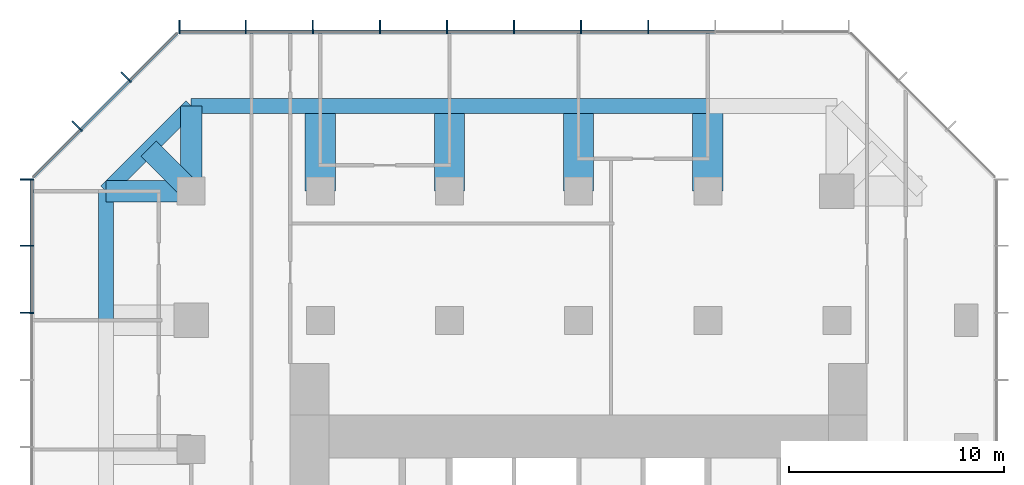
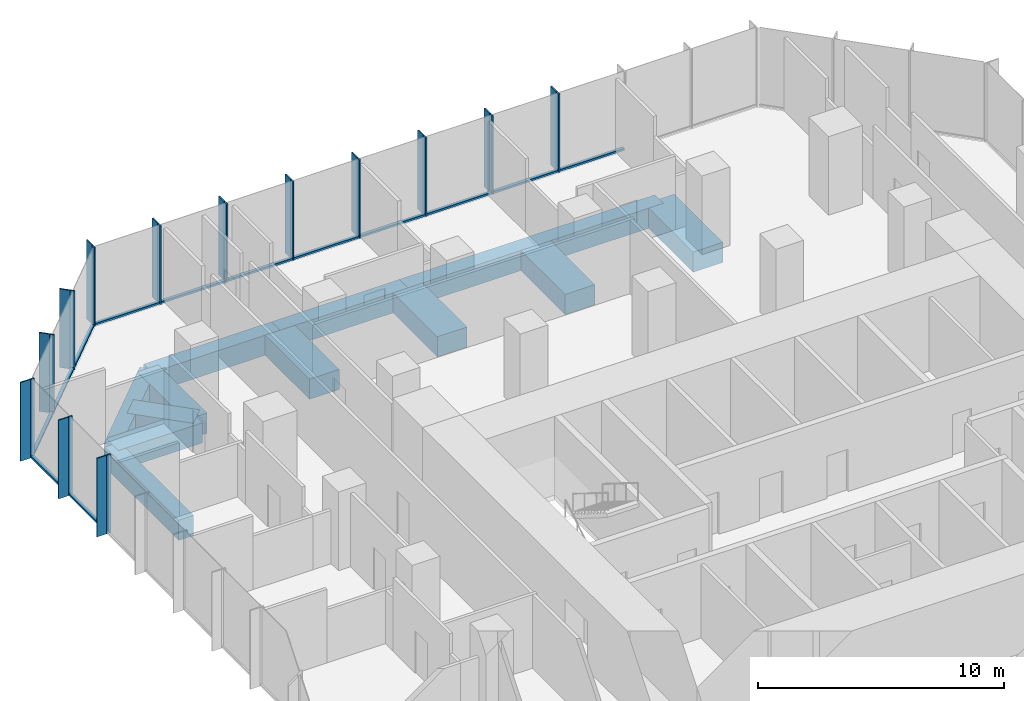
# One storey, part 5 of 11: 39 members, 13 beams, 3 elements without a shape of their own.
"""IFC4 building model written with IfcOpenShell, lengths in metres."""

from ifc_helpers import new_model, si_unit, direction, frame, origin, origin_2d, place, context, subcontext, project, spatial, rectangle, extrude, material, layer, layer_set, material_profile, profile_set, type_object, element, aggregate, save


model = new_model("IFC4")

# Units and contexts
model_context = context("Model", 3, precision=1e-05, world=origin(), true_north=direction((0.0, 1.0)))
body_context = subcontext(model_context, "Body", "Model", "MODEL_VIEW")
ifc_project = project(units=[si_unit("LENGTHUNIT", "METRE"), si_unit("AREAUNIT", "SQUARE_METRE"), si_unit("VOLUMEUNIT", "CUBIC_METRE"), si_unit("PLANEANGLEUNIT", "RADIAN"), si_unit("MASSUNIT", "GRAM", prefix="KILO")], contexts=[model_context])

# Site, building, storey
site_placement = place(None, origin())
site = spatial("IfcSite", under=ifc_project, at=site_placement, CompositionType="ELEMENT")
building_placement = place(site_placement, origin())
building = spatial("IfcBuilding", under=site, at=building_placement, Name="Highveld Stack Headquarters", CompositionType="ELEMENT")
storey_placement = place(building_placement, frame((0.0, 0.0, 196.699951171875)))
storey = spatial("IfcBuildingStorey", under=building, at=storey_placement, Name="L48", CompositionType="ELEMENT", Elevation=196.699951171875)

# Beams
ifc_material_1 = material(Name="Concrete C60/75", Category="concrete")
ifc_material_profile_1 = material_profile(ifc_material_1, rectangle(XDim=1.0, YDim=1.0, at=origin_2d()), Name="RC 1000x1000")
ifc_profile_set_1 = profile_set([ifc_material_profile_1], Name="Concrete C60/75")
beam_type_1 = type_object("IfcBeamType", Name="CANTILEVER RIB RC 1000x1000", PredefinedType="USERDEFINED", material=ifc_profile_set_1)
for number, where, z_axis, x_axis, name in (
    (1, (-12.0, 24.0, -0.75), (-1.0, 0.0, 0.0), (0.0, -1.0, 0.0), "Cantilever rib 4/J L48"),
    (2, (-12.0, 24.0, -0.75), (0.0, 1.0, 0.0), (-1.0, 0.0, 0.0), "Cantilever rib 4/J L48"),
):
    element("IfcBeam", number, at=place(storey_placement, frame(where, z_axis=z_axis, x_axis=x_axis)), inside=storey, type_object=beam_type_1, Name=name, ObjectType="CANTILEVER RIB", PredefinedType="USERDEFINED", context=body_context, shape_type="SweptSolid", body=[
        extrude(rectangle(XDim=1.0, YDim=1.0, at=origin_2d()), origin(), (0.0, 0.0, 1.0), 3.949951171875),
    ])
beam_1_placement = place(storey_placement, frame((-12.0, 24.0, -0.75), z_axis=(-0.707106781187, 0.707106781187, 0.0), x_axis=(-0.707106781187, -0.707106781187, 0.0)))
element("IfcBeam", 3, at=beam_1_placement, inside=storey, type_object=beam_type_1, Name="Cantilever rib 4/J L48", ObjectType="CANTILEVER RIB", PredefinedType="USERDEFINED", context=body_context, shape_type="SweptSolid", body=[
    extrude(rectangle(XDim=1.0, YDim=1.0, at=origin_2d()), origin(), (0.0, 0.0, 1.0), 2.793212890625),
])
ifc_material_2 = material(Name="Concrete C60/75", Category="concrete")
ifc_material_profile_2 = material_profile(ifc_material_2, rectangle(XDim=1.39990234375, YDim=1.0, at=origin_2d()), Name="RC 1400x1000")
ifc_profile_set_2 = profile_set([ifc_material_profile_2], Name="Concrete C60/75")
beam_type_2 = type_object("IfcBeamType", Name="CANTILEVER RIB RC 1400x1000", PredefinedType="USERDEFINED", material=ifc_profile_set_2)
for number, where, z_axis, x_axis, name in (
    (4, (-6.0, 24.0, -0.75), (0.0, 1.0, 0.0), (-1.0, 0.0, 0.0), "Cantilever rib 5/J L48"),
    (5, (0.0, 24.0, -0.75), (0.0, 1.0, 0.0), (-1.0, 0.0, 0.0), "Cantilever rib 6/J L48"),
    (6, (6.0, 24.0, -0.75), (0.0, 1.0, 0.0), (-1.0, 0.0, 0.0), "Cantilever rib 7/J L48"),
    (7, (12.0, 24.0, -0.75), (0.0, 1.0, 0.0), (-1.0, 0.0, 0.0), "Cantilever rib 8/J L48"),
):
    element("IfcBeam", number, at=place(storey_placement, frame(where, z_axis=z_axis, x_axis=x_axis)), inside=storey, type_object=beam_type_2, Name=name, ObjectType="CANTILEVER RIB", PredefinedType="USERDEFINED", context=body_context, shape_type="SweptSolid", body=[
        extrude(rectangle(XDim=1.39990234375, YDim=1.0, at=origin_2d()), origin(), (0.0, 0.0, 1.0), 3.949951171875),
    ])

# Curtain wall, members
ifc_material_3 = material(Name="Aluminium bronze anodised", Category="aluminium")
ifc_layer_1 = layer(ifc_material_3, 0.199951171875)
ifc_layer_set_1 = layer_set([ifc_layer_1], Name="Aluminium bronze anodised")
curtain_wall_type_1 = type_object("IfcCurtainWallType", Name="CW1 TOWER UNITISED CURTAIN WALL", PredefinedType="NOTDEFINED", material=ifc_layer_set_1)
curtain_wall_1_placement = place(storey_placement, origin())
curtain_wall_1 = element("IfcCurtainWall", 8, at=curtain_wall_1_placement, inside=storey, type_object=curtain_wall_type_1, Name="Curtain wall CW1 L48 N", PredefinedType="NOTDEFINED")
ifc_material_4 = material(Name="Aluminium bronze anodised", Category="aluminium")
ifc_material_profile_3 = material_profile(ifc_material_4, rectangle(XDim=0.449951171875, YDim=0.06005859375, at=origin_2d()), Name="FIN 450x60")
ifc_profile_set_3 = profile_set([ifc_material_profile_3], Name="Aluminium bronze anodised")
member_type_1 = type_object("IfcMemberType", Name="CW1 BRONZE FIN 450x60", PredefinedType="USERDEFINED", material=ifc_profile_set_3)
member_1_placement = place(storey_placement, frame((9.23193359375, 31.72509765625, 0.0), z_axis=(0.0, 0.0, 1.0), x_axis=(0.0, -1.0, 0.0)))
member_1 = element("IfcMember", 9, at=member_1_placement, type_object=member_type_1, Name="CW1 fin L48 4", ObjectType="FIN", PredefinedType="USERDEFINED", context=body_context, shape_type="SweptSolid", body=[
    extrude(rectangle(XDim=0.449951171875, YDim=0.06005859375, at=origin_2d()), origin(), (0.0, 0.0, 1.0), 3.900146484375),
])
member_2_placement = place(storey_placement, frame((6.115966796875, 31.72509765625, 0.0), z_axis=(0.0, 0.0, 1.0), x_axis=(0.0, -1.0, 0.0)))
member_2 = element("IfcMember", 10, at=member_2_placement, type_object=member_type_1, Name="CW1 fin L48 5", ObjectType="FIN", PredefinedType="USERDEFINED", context=body_context, shape_type="SweptSolid", body=[
    extrude(rectangle(XDim=0.449951171875, YDim=0.06005859375, at=origin_2d()), origin(), (0.0, 0.0, 1.0), 3.900146484375),
])
member_3_placement = place(storey_placement, frame((3.0, 31.72509765625, 0.0), z_axis=(0.0, 0.0, 1.0), x_axis=(0.0, -1.0, 0.0)))
member_3 = element("IfcMember", 11, at=member_3_placement, type_object=member_type_1, Name="CW1 fin L48 6", ObjectType="FIN", PredefinedType="USERDEFINED", context=body_context, shape_type="SweptSolid", body=[
    extrude(rectangle(XDim=0.449951171875, YDim=0.06005859375, at=origin_2d()), origin(), (0.0, 0.0, 1.0), 3.900146484375),
])
member_4_placement = place(storey_placement, frame((-0.115966796875, 31.72509765625, 0.0), z_axis=(0.0, 0.0, 1.0), x_axis=(0.0, -1.0, 0.0)))
member_4 = element("IfcMember", 12, at=member_4_placement, type_object=member_type_1, Name="CW1 fin L48 7", ObjectType="FIN", PredefinedType="USERDEFINED", context=body_context, shape_type="SweptSolid", body=[
    extrude(rectangle(XDim=0.449951171875, YDim=0.06005859375, at=origin_2d()), origin(), (0.0, 0.0, 1.0), 3.900146484375),
])
member_5_placement = place(storey_placement, frame((-3.23193359375, 31.72509765625, 0.0), z_axis=(0.0, 0.0, 1.0), x_axis=(0.0, -1.0, 0.0)))
member_5 = element("IfcMember", 13, at=member_5_placement, type_object=member_type_1, Name="CW1 fin L48 8", ObjectType="FIN", PredefinedType="USERDEFINED", context=body_context, shape_type="SweptSolid", body=[
    extrude(rectangle(XDim=0.449951171875, YDim=0.06005859375, at=origin_2d()), origin(), (0.0, 0.0, 1.0), 3.900146484375),
])
member_6_placement = place(storey_placement, frame((-6.347900390625, 31.72509765625, 0.0), z_axis=(0.0, 0.0, 1.0), x_axis=(0.0, -1.0, 0.0)))
member_6 = element("IfcMember", 14, at=member_6_placement, type_object=member_type_1, Name="CW1 fin L48 9", ObjectType="FIN", PredefinedType="USERDEFINED", context=body_context, shape_type="SweptSolid", body=[
    extrude(rectangle(XDim=0.449951171875, YDim=0.06005859375, at=origin_2d()), origin(), (0.0, 0.0, 1.0), 3.900146484375),
])
member_7_placement = place(storey_placement, frame((-9.4638671875, 31.72509765625, 0.0), z_axis=(0.0, 0.0, 1.0), x_axis=(0.0, -1.0, 0.0)))
member_7 = element("IfcMember", 15, at=member_7_placement, type_object=member_type_1, Name="CW1 fin L48 10", ObjectType="FIN", PredefinedType="USERDEFINED", context=body_context, shape_type="SweptSolid", body=[
    extrude(rectangle(XDim=0.449951171875, YDim=0.06005859375, at=origin_2d()), origin(), (0.0, 0.0, 1.0), 3.900146484375),
])
member_8_placement = place(storey_placement, frame((-12.54736328125, 31.72509765625, 0.0), z_axis=(0.0, 0.0, 1.0), x_axis=(0.0, -1.0, 0.0)))
member_8 = element("IfcMember", 16, at=member_8_placement, type_object=member_type_1, Name="CW1 fin L48 11", ObjectType="FIN", PredefinedType="USERDEFINED", context=body_context, shape_type="SweptSolid", body=[
    extrude(rectangle(XDim=0.449951171875, YDim=0.06005859375, at=origin_2d()), origin(), (0.0, 0.0, 1.0), 3.900146484375),
])

curtain_wall_2_placement = place(storey_placement, origin())
curtain_wall_2 = element("IfcCurtainWall", 17, at=curtain_wall_2_placement, inside=storey, type_object=curtain_wall_type_1, Name="Curtain wall CW1 L48 W", PredefinedType="NOTDEFINED")
member_9_placement = place(storey_placement, frame((-19.72509765625, 24.54736328125, 0.0), z_axis=(0.0, 0.0, 1.0), x_axis=(1.0, 0.0, 0.0)))
member_9 = element("IfcMember", 18, at=member_9_placement, type_object=member_type_1, Name="CW1 fin L48 1", ObjectType="FIN", PredefinedType="USERDEFINED", context=body_context, shape_type="SweptSolid", body=[
    extrude(rectangle(XDim=0.449951171875, YDim=0.06005859375, at=origin_2d()), origin(), (0.0, 0.0, 1.0), 3.900146484375),
])
member_10_placement = place(storey_placement, frame((-19.72509765625, 21.4638671875, 0.0), z_axis=(0.0, 0.0, 1.0), x_axis=(1.0, 0.0, 0.0)))
member_10 = element("IfcMember", 19, at=member_10_placement, type_object=member_type_1, Name="CW1 fin L48 2", ObjectType="FIN", PredefinedType="USERDEFINED", context=body_context, shape_type="SweptSolid", body=[
    extrude(rectangle(XDim=0.449951171875, YDim=0.06005859375, at=origin_2d()), origin(), (0.0, 0.0, 1.0), 3.900146484375),
])
member_11_placement = place(storey_placement, frame((-19.72509765625, 18.347900390625, 0.0), z_axis=(0.0, 0.0, 1.0), x_axis=(1.0, 0.0, 0.0)))
member_11 = element("IfcMember", 20, at=member_11_placement, type_object=member_type_1, Name="CW1 fin L48 3", ObjectType="FIN", PredefinedType="USERDEFINED", context=body_context, shape_type="SweptSolid", body=[
    extrude(rectangle(XDim=0.449951171875, YDim=0.06005859375, at=origin_2d()), origin(), (0.0, 0.0, 1.0), 3.900146484375),
])

# Member
ifc_material_5 = material(Name="Aluminium bronze anodised", Category="aluminium")
ifc_material_profile_4 = material_profile(ifc_material_5, rectangle(XDim=0.199951171875, YDim=0.06494140625, at=origin_2d()), Name="CW1 MULLION 65x200")
ifc_profile_set_4 = profile_set([ifc_material_profile_4], Name="Aluminium bronze anodised")
member_type_2 = type_object("IfcMemberType", Name="CW1 MULLION 65x200", PredefinedType="MULLION", material=ifc_profile_set_4)
member_12_placement = place(storey_placement, frame((9.23193359375, 31.39990234375, 0.0), z_axis=(0.0, 0.0, 1.0), x_axis=(0.0, -1.0, 0.0)))
member_12 = element("IfcMember", 21, at=member_12_placement, type_object=member_type_2, Name="CW1 mullion L48 4", PredefinedType="MULLION", context=body_context, shape_type="SweptSolid", body=[
    extrude(rectangle(XDim=0.199951171875, YDim=0.06494140625, at=origin_2d()), origin(), (0.0, 0.0, 1.0), 3.900146484375),
])

member_13_placement = place(storey_placement, frame((6.115966796875, 31.39990234375, 0.0), z_axis=(0.0, 0.0, 1.0), x_axis=(0.0, -1.0, 0.0)))
member_13 = element("IfcMember", 22, at=member_13_placement, type_object=member_type_2, Name="CW1 mullion L48 5", PredefinedType="MULLION", context=body_context, shape_type="SweptSolid", body=[
    extrude(rectangle(XDim=0.199951171875, YDim=0.06494140625, at=origin_2d()), origin(), (0.0, 0.0, 1.0), 3.900146484375),
])

member_14_placement = place(storey_placement, frame((3.0, 31.39990234375, 0.0), z_axis=(0.0, 0.0, 1.0), x_axis=(0.0, -1.0, 0.0)))
member_14 = element("IfcMember", 23, at=member_14_placement, type_object=member_type_2, Name="CW1 mullion L48 6", PredefinedType="MULLION", context=body_context, shape_type="SweptSolid", body=[
    extrude(rectangle(XDim=0.199951171875, YDim=0.06494140625, at=origin_2d()), origin(), (0.0, 0.0, 1.0), 3.900146484375),
])

member_15_placement = place(storey_placement, frame((-0.115966796875, 31.39990234375, 0.0), z_axis=(0.0, 0.0, 1.0), x_axis=(0.0, -1.0, 0.0)))
member_15 = element("IfcMember", 24, at=member_15_placement, type_object=member_type_2, Name="CW1 mullion L48 7", PredefinedType="MULLION", context=body_context, shape_type="SweptSolid", body=[
    extrude(rectangle(XDim=0.199951171875, YDim=0.06494140625, at=origin_2d()), origin(), (0.0, 0.0, 1.0), 3.900146484375),
])

member_16_placement = place(storey_placement, frame((-3.23193359375, 31.39990234375, 0.0), z_axis=(0.0, 0.0, 1.0), x_axis=(0.0, -1.0, 0.0)))
member_16 = element("IfcMember", 25, at=member_16_placement, type_object=member_type_2, Name="CW1 mullion L48 8", PredefinedType="MULLION", context=body_context, shape_type="SweptSolid", body=[
    extrude(rectangle(XDim=0.199951171875, YDim=0.06494140625, at=origin_2d()), origin(), (0.0, 0.0, 1.0), 3.900146484375),
])

member_17_placement = place(storey_placement, frame((-6.347900390625, 31.39990234375, 0.0), z_axis=(0.0, 0.0, 1.0), x_axis=(0.0, -1.0, 0.0)))
member_17 = element("IfcMember", 26, at=member_17_placement, type_object=member_type_2, Name="CW1 mullion L48 9", PredefinedType="MULLION", context=body_context, shape_type="SweptSolid", body=[
    extrude(rectangle(XDim=0.199951171875, YDim=0.06494140625, at=origin_2d()), origin(), (0.0, 0.0, 1.0), 3.900146484375),
])

member_18_placement = place(storey_placement, frame((-9.4638671875, 31.39990234375, 0.0), z_axis=(0.0, 0.0, 1.0), x_axis=(0.0, -1.0, 0.0)))
member_18 = element("IfcMember", 27, at=member_18_placement, type_object=member_type_2, Name="CW1 mullion L48 10", PredefinedType="MULLION", context=body_context, shape_type="SweptSolid", body=[
    extrude(rectangle(XDim=0.199951171875, YDim=0.06494140625, at=origin_2d()), origin(), (0.0, 0.0, 1.0), 3.900146484375),
])

member_19_placement = place(storey_placement, frame((-12.54736328125, 31.39990234375, 0.0), z_axis=(0.0, 0.0, 1.0), x_axis=(0.0, -1.0, 0.0)))
member_19 = element("IfcMember", 28, at=member_19_placement, type_object=member_type_2, Name="CW1 mullion L48 11", PredefinedType="MULLION", context=body_context, shape_type="SweptSolid", body=[
    extrude(rectangle(XDim=0.199951171875, YDim=0.06494140625, at=origin_2d()), origin(), (0.0, 0.0, 1.0), 3.900146484375),
])

member_20_placement = place(storey_placement, frame((-19.39990234375, 24.54736328125, 0.0), z_axis=(0.0, 0.0, 1.0), x_axis=(1.0, 0.0, 0.0)))
member_20 = element("IfcMember", 29, at=member_20_placement, type_object=member_type_2, Name="CW1 mullion L48 1", PredefinedType="MULLION", context=body_context, shape_type="SweptSolid", body=[
    extrude(rectangle(XDim=0.199951171875, YDim=0.06494140625, at=origin_2d()), origin(), (0.0, 0.0, 1.0), 3.900146484375),
])

member_21_placement = place(storey_placement, frame((-19.39990234375, 21.4638671875, 0.0), z_axis=(0.0, 0.0, 1.0), x_axis=(1.0, 0.0, 0.0)))
member_21 = element("IfcMember", 30, at=member_21_placement, type_object=member_type_2, Name="CW1 mullion L48 2", PredefinedType="MULLION", context=body_context, shape_type="SweptSolid", body=[
    extrude(rectangle(XDim=0.199951171875, YDim=0.06494140625, at=origin_2d()), origin(), (0.0, 0.0, 1.0), 3.900146484375),
])

member_22_placement = place(storey_placement, frame((-19.39990234375, 18.347900390625, 0.0), z_axis=(0.0, 0.0, 1.0), x_axis=(1.0, 0.0, 0.0)))
member_22 = element("IfcMember", 31, at=member_22_placement, type_object=member_type_2, Name="CW1 mullion L48 3", PredefinedType="MULLION", context=body_context, shape_type="SweptSolid", body=[
    extrude(rectangle(XDim=0.199951171875, YDim=0.06494140625, at=origin_2d()), origin(), (0.0, 0.0, 1.0), 3.900146484375),
])

ifc_material_6 = material(Name="Aluminium bronze anodised", Category="aluminium")
ifc_material_profile_5 = material_profile(ifc_material_6, rectangle(XDim=0.14990234375, YDim=0.10009765625, at=origin_2d()), Name="CW1 TRANSOM 150x100")
ifc_profile_set_5 = profile_set([ifc_material_profile_5], Name="Aluminium bronze anodised")
member_type_3 = type_object("IfcMemberType", Name="CW1 STACK TRANSOM 150x100", PredefinedType="USERDEFINED", material=ifc_profile_set_5)
member_23_placement = place(storey_placement, frame((12.3154296875, 31.39990234375, 0.050048828125), z_axis=(-1.0, 0.0, 0.0), x_axis=(0.0, -1.0, 0.0)))
member_23 = element("IfcMember", 32, at=member_23_placement, type_object=member_type_3, Name="CW1 transom L48 3.1", ObjectType="TRANSOM", PredefinedType="USERDEFINED", context=body_context, shape_type="SweptSolid", body=[
    extrude(rectangle(XDim=0.14990234375, YDim=0.10009765625, at=origin_2d()), origin(), (0.0, 0.0, 1.0), 3.051025390625),
])

member_24_placement = place(storey_placement, frame((9.199462890625, 31.39990234375, 0.050048828125), z_axis=(-1.0, 0.0, 0.0), x_axis=(0.0, -1.0, 0.0)))
member_24 = element("IfcMember", 33, at=member_24_placement, type_object=member_type_3, Name="CW1 transom L48 4.1", ObjectType="TRANSOM", PredefinedType="USERDEFINED", context=body_context, shape_type="SweptSolid", body=[
    extrude(rectangle(XDim=0.14990234375, YDim=0.10009765625, at=origin_2d()), origin(), (0.0, 0.0, 1.0), 3.051025390625),
])

member_25_placement = place(storey_placement, frame((6.08349609375, 31.39990234375, 0.050048828125), z_axis=(-1.0, 0.0, 0.0), x_axis=(0.0, -1.0, 0.0)))
member_25 = element("IfcMember", 34, at=member_25_placement, type_object=member_type_3, Name="CW1 transom L48 5.1", ObjectType="TRANSOM", PredefinedType="USERDEFINED", context=body_context, shape_type="SweptSolid", body=[
    extrude(rectangle(XDim=0.14990234375, YDim=0.10009765625, at=origin_2d()), origin(), (0.0, 0.0, 1.0), 3.051025390625),
])

member_26_placement = place(storey_placement, frame((2.967529296875, 31.39990234375, 0.050048828125), z_axis=(-1.0, 0.0, 0.0), x_axis=(0.0, -1.0, 0.0)))
member_26 = element("IfcMember", 35, at=member_26_placement, type_object=member_type_3, Name="CW1 transom L48 6.1", ObjectType="TRANSOM", PredefinedType="USERDEFINED", context=body_context, shape_type="SweptSolid", body=[
    extrude(rectangle(XDim=0.14990234375, YDim=0.10009765625, at=origin_2d()), origin(), (0.0, 0.0, 1.0), 3.051025390625),
])

member_27_placement = place(storey_placement, frame((-0.1484375, 31.39990234375, 0.050048828125), z_axis=(-1.0, 0.0, 0.0), x_axis=(0.0, -1.0, 0.0)))
member_27 = element("IfcMember", 36, at=member_27_placement, type_object=member_type_3, Name="CW1 transom L48 7.1", ObjectType="TRANSOM", PredefinedType="USERDEFINED", context=body_context, shape_type="SweptSolid", body=[
    extrude(rectangle(XDim=0.14990234375, YDim=0.10009765625, at=origin_2d()), origin(), (0.0, 0.0, 1.0), 3.051025390625),
])

member_28_placement = place(storey_placement, frame((-3.264404296875, 31.39990234375, 0.050048828125), z_axis=(-1.0, 0.0, 0.0), x_axis=(0.0, -1.0, 0.0)))
member_28 = element("IfcMember", 37, at=member_28_placement, type_object=member_type_3, Name="CW1 transom L48 8.1", ObjectType="TRANSOM", PredefinedType="USERDEFINED", context=body_context, shape_type="SweptSolid", body=[
    extrude(rectangle(XDim=0.14990234375, YDim=0.10009765625, at=origin_2d()), origin(), (0.0, 0.0, 1.0), 3.051025390625),
])

member_29_placement = place(storey_placement, frame((-6.38037109375, 31.39990234375, 0.050048828125), z_axis=(-1.0, 0.0, 0.0), x_axis=(0.0, -1.0, 0.0)))
member_29 = element("IfcMember", 38, at=member_29_placement, type_object=member_type_3, Name="CW1 transom L48 9.1", ObjectType="TRANSOM", PredefinedType="USERDEFINED", context=body_context, shape_type="SweptSolid", body=[
    extrude(rectangle(XDim=0.14990234375, YDim=0.10009765625, at=origin_2d()), origin(), (0.0, 0.0, 1.0), 3.051025390625),
])

member_30_placement = place(storey_placement, frame((-9.496337890625, 31.39990234375, 0.050048828125), z_axis=(-1.0, 0.0, 0.0), x_axis=(0.0, -1.0, 0.0)))
member_30 = element("IfcMember", 39, at=member_30_placement, type_object=member_type_3, Name="CW1 transom L48 10.1", ObjectType="TRANSOM", PredefinedType="USERDEFINED", context=body_context, shape_type="SweptSolid", body=[
    extrude(rectangle(XDim=0.14990234375, YDim=0.10009765625, at=origin_2d()), origin(), (0.0, 0.0, 1.0), 3.0185546875),
])

aggregate(curtain_wall_1, [member_12, member_1, member_13, member_2, member_14, member_3, member_15, member_4, member_16, member_5, member_17, member_6, member_18, member_7, member_19, member_8, member_23, member_24, member_25, member_26, member_27, member_28, member_29, member_30])

member_31_placement = place(storey_placement, frame((-19.39990234375, 24.514892578125, 0.050048828125), z_axis=(0.0, -1.0, 0.0), x_axis=(1.0, 0.0, 0.0)))
member_31 = element("IfcMember", 40, at=member_31_placement, type_object=member_type_3, Name="CW1 transom L48 1.1", ObjectType="TRANSOM", PredefinedType="USERDEFINED", context=body_context, shape_type="SweptSolid", body=[
    extrude(rectangle(XDim=0.14990234375, YDim=0.10009765625, at=origin_2d()), origin(), (0.0, 0.0, 1.0), 3.0185546875),
])

member_32_placement = place(storey_placement, frame((-19.39990234375, 21.431396484375, 0.050048828125), z_axis=(0.0, -1.0, 0.0), x_axis=(1.0, 0.0, 0.0)))
member_32 = element("IfcMember", 41, at=member_32_placement, type_object=member_type_3, Name="CW1 transom L48 2.1", ObjectType="TRANSOM", PredefinedType="USERDEFINED", context=body_context, shape_type="SweptSolid", body=[
    extrude(rectangle(XDim=0.14990234375, YDim=0.10009765625, at=origin_2d()), origin(), (0.0, 0.0, 1.0), 3.051025390625),
])

aggregate(curtain_wall_2, [member_20, member_9, member_21, member_10, member_22, member_11, member_31, member_32])

# Curtain wall, members
ifc_material_7 = material(Name="Aluminium bronze anodised", Category="aluminium")
ifc_layer_2 = layer(ifc_material_7, 0.199951171875)
ifc_layer_set_2 = layer_set([ifc_layer_2], Name="Aluminium bronze anodised")
curtain_wall_type_2 = type_object("IfcCurtainWallType", Name="CW2 TOWER CHAMFER UNITISED CURTAIN WALL", PredefinedType="NOTDEFINED", material=ifc_layer_set_2)
curtain_wall_3_placement = place(storey_placement, origin())
curtain_wall_3 = element("IfcCurtainWall", 42, at=curtain_wall_3_placement, inside=storey, type_object=curtain_wall_type_2, Name="Curtain wall CW2 L48 NW", PredefinedType="NOTDEFINED")
ifc_material_8 = material(Name="Aluminium bronze anodised", Category="aluminium")
ifc_material_profile_6 = material_profile(ifc_material_8, rectangle(XDim=0.449951171875, YDim=0.06005859375, at=origin_2d()), Name="FIN 450x60")
ifc_profile_set_6 = profile_set([ifc_material_profile_6], Name="Aluminium bronze anodised")
member_type_4 = type_object("IfcMemberType", Name="CW2 BRONZE FIN 450x60", PredefinedType="USERDEFINED", material=ifc_profile_set_6)
member_33_placement = place(storey_placement, frame((-15.0830078125, 29.3564453125, 0.0), z_axis=(0.0, 0.0, 1.0), x_axis=(0.707106781187, -0.707106781187, 0.0)))
member_33 = element("IfcMember", 43, at=member_33_placement, type_object=member_type_4, Name="CW2 fin L48 1", ObjectType="FIN", PredefinedType="USERDEFINED", context=body_context, shape_type="SweptSolid", body=[
    extrude(rectangle(XDim=0.449951171875, YDim=0.06005859375, at=origin_2d()), origin(), (0.0, 0.0, 1.0), 3.900146484375),
])
member_34_placement = place(storey_placement, frame((-17.3564453125, 27.0830078125, 0.0), z_axis=(0.0, 0.0, 1.0), x_axis=(0.707106781187, -0.707106781187, 0.0)))
member_34 = element("IfcMember", 44, at=member_34_placement, type_object=member_type_4, Name="CW2 fin L48 2", ObjectType="FIN", PredefinedType="USERDEFINED", context=body_context, shape_type="SweptSolid", body=[
    extrude(rectangle(XDim=0.449951171875, YDim=0.06005859375, at=origin_2d()), origin(), (0.0, 0.0, 1.0), 3.900146484375),
])
ifc_material_9 = material(Name="Aluminium bronze anodised", Category="aluminium")
ifc_material_profile_7 = material_profile(ifc_material_9, rectangle(XDim=0.199951171875, YDim=0.06494140625, at=origin_2d()), Name="CW2 MULLION 65x200")
ifc_profile_set_7 = profile_set([ifc_material_profile_7], Name="Aluminium bronze anodised")
member_type_5 = type_object("IfcMemberType", Name="CW2 MULLION 65x200", PredefinedType="MULLION", material=ifc_profile_set_7)
member_35_placement = place(storey_placement, frame((-14.853271484375, 29.126708984375, 0.0), z_axis=(0.0, 0.0, 1.0), x_axis=(0.707106781187, -0.707106781187, 0.0)))
member_35 = element("IfcMember", 45, at=member_35_placement, type_object=member_type_5, Name="CW2 mullion L48 1", PredefinedType="MULLION", context=body_context, shape_type="SweptSolid", body=[
    extrude(rectangle(XDim=0.199951171875, YDim=0.06494140625, at=origin_2d()), origin(), (0.0, 0.0, 1.0), 3.900146484375),
])
member_36_placement = place(storey_placement, frame((-17.126708984375, 26.853271484375, 0.0), z_axis=(0.0, 0.0, 1.0), x_axis=(0.707106781187, -0.707106781187, 0.0)))
member_36 = element("IfcMember", 46, at=member_36_placement, type_object=member_type_5, Name="CW2 mullion L48 2", PredefinedType="MULLION", context=body_context, shape_type="SweptSolid", body=[
    extrude(rectangle(XDim=0.199951171875, YDim=0.06494140625, at=origin_2d()), origin(), (0.0, 0.0, 1.0), 3.900146484375),
])
ifc_material_10 = material(Name="Aluminium bronze anodised", Category="aluminium")
ifc_material_profile_8 = material_profile(ifc_material_10, rectangle(XDim=0.14990234375, YDim=0.10009765625, at=origin_2d()), Name="CW2 TRANSOM 150x100")
ifc_profile_set_8 = profile_set([ifc_material_profile_8], Name="Aluminium bronze anodised")
member_type_6 = type_object("IfcMemberType", Name="CW2 STACK TRANSOM 150x100", PredefinedType="USERDEFINED", material=ifc_profile_set_8)
member_37_placement = place(storey_placement, frame((-12.650634765625, 31.329345703125, 0.050048828125), z_axis=(-0.707106781187, -0.707106781187, 0.0), x_axis=(0.707106781187, -0.707106781187, 0.0)))
member_37 = element("IfcMember", 47, at=member_37_placement, type_object=member_type_6, Name="CW2 transom L48 1.1", ObjectType="TRANSOM", PredefinedType="USERDEFINED", context=body_context, shape_type="SweptSolid", body=[
    extrude(rectangle(XDim=0.14990234375, YDim=0.10009765625, at=origin_2d()), origin(), (0.0, 0.0, 1.0), 3.08251953125),
])
member_38_placement = place(storey_placement, frame((-14.876220703125, 29.103759765625, 0.050048828125), z_axis=(-0.707106781187, -0.707106781187, 0.0), x_axis=(0.707106781187, -0.707106781187, 0.0)))
member_38 = element("IfcMember", 48, at=member_38_placement, type_object=member_type_6, Name="CW2 transom L48 2.1", ObjectType="TRANSOM", PredefinedType="USERDEFINED", context=body_context, shape_type="SweptSolid", body=[
    extrude(rectangle(XDim=0.14990234375, YDim=0.10009765625, at=origin_2d()), origin(), (0.0, 0.0, 1.0), 3.150146484375),
])
member_39_placement = place(storey_placement, frame((-17.149658203125, 26.830322265625, 0.050048828125), z_axis=(-0.707106781187, -0.707106781187, 0.0), x_axis=(0.707106781187, -0.707106781187, 0.0)))
member_39 = element("IfcMember", 49, at=member_39_placement, type_object=member_type_6, Name="CW2 transom L48 3.1", ObjectType="TRANSOM", PredefinedType="USERDEFINED", context=body_context, shape_type="SweptSolid", body=[
    extrude(rectangle(XDim=0.14990234375, YDim=0.10009765625, at=origin_2d()), origin(), (0.0, 0.0, 1.0), 3.08251953125),
])
aggregate(curtain_wall_3, [member_35, member_33, member_36, member_34, member_37, member_38, member_39])

# Beams
ifc_material_11 = material(Name="Concrete C60/75", Category="concrete")
ifc_material_profile_9 = material_profile(ifc_material_11, rectangle(XDim=0.699951171875, YDim=1.0, at=origin_2d()), Name="RC 700x1000")
ifc_profile_set_9 = profile_set([ifc_material_profile_9], Name="Concrete C60/75")
beam_type_3 = type_object("IfcBeamType", Name="RIB TIP BEAM RC 700x1000", PredefinedType="SPANDREL", material=ifc_profile_set_9)
for number, where, z_axis, x_axis, name in (
    (50, (-15.949951171875, 18.0, -0.75), (0.0, 1.0, 0.0), (-1.0, 0.0, 0.0), "Rib tip beam 4/H to 4/J L48"),
    (51, (-12.0, 27.949951171875, -0.75), (1.0, 0.0, 0.0), (0.0, 1.0, 0.0), "Rib tip beam 4/J to 5/J L48"),
    (52, (-6.0, 27.949951171875, -0.75), (1.0, 0.0, 0.0), (0.0, 1.0, 0.0), "Rib tip beam 5/J to 6/J L48"),
    (53, (0.0, 27.949951171875, -0.75), (1.0, 0.0, 0.0), (0.0, 1.0, 0.0), "Rib tip beam 6/J to 7/J L48"),
    (54, (6.0, 27.949951171875, -0.75), (1.0, 0.0, 0.0), (0.0, 1.0, 0.0), "Rib tip beam 7/J to 8/J L48"),
):
    element("IfcBeam", number, at=place(storey_placement, frame(where, z_axis=z_axis, x_axis=x_axis)), inside=storey, type_object=beam_type_3, Name=name, PredefinedType="SPANDREL", context=body_context, shape_type="SweptSolid", body=[
        extrude(rectangle(XDim=0.699951171875, YDim=1.0, at=origin_2d()), origin(), (0.0, 0.0, 1.0), 6.0),
    ])
beam_2_placement = place(storey_placement, frame((-15.949951171875, 24.0, -0.75), z_axis=(0.707106781187, 0.707106781187, 0.0), x_axis=(-0.707106781187, 0.707106781187, 0.0)))
element("IfcBeam", 55, at=beam_2_placement, inside=storey, type_object=beam_type_3, Name="Rib tip beam 4/J corner L48", PredefinedType="SPANDREL", context=body_context, shape_type="SweptSolid", body=[
    extrude(rectangle(XDim=0.699951171875, YDim=1.0, at=origin_2d()), origin(), (0.0, 0.0, 1.0), 5.586181640625),
])

save(model, "model.ifc")
